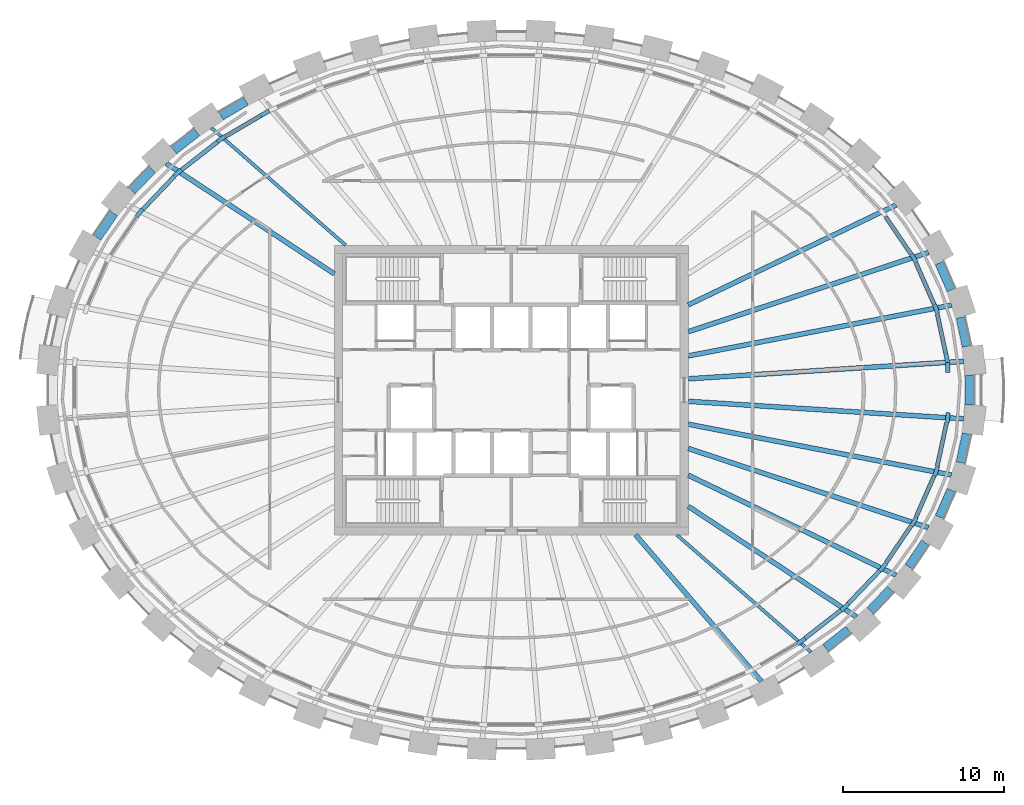
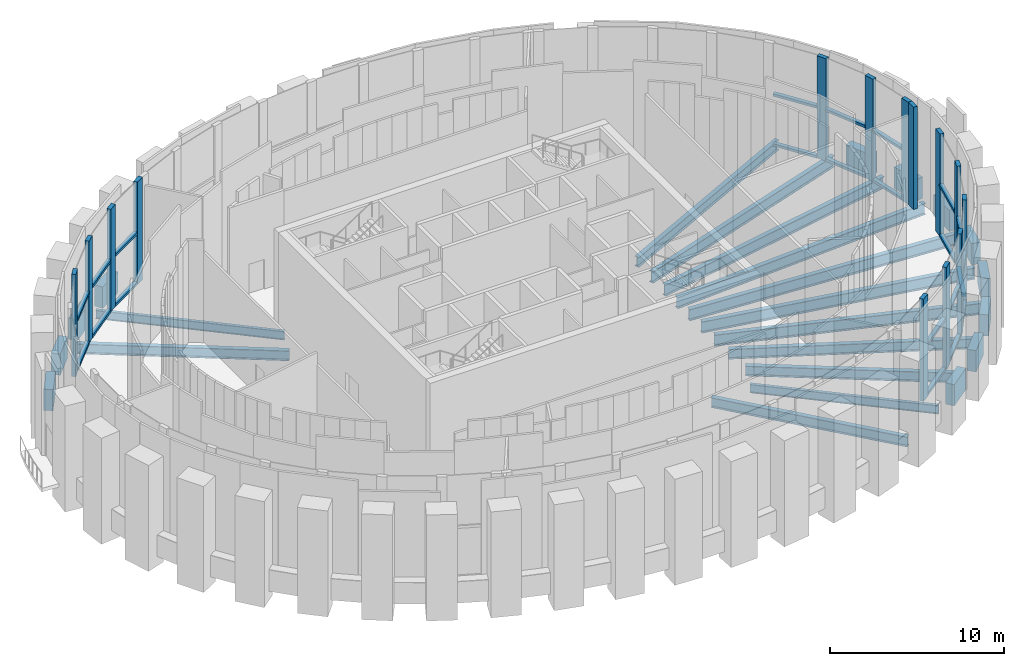
# One storey, part 3 of 16: 36 members, 25 beams, 3 elements without a shape of their own.
"""IFC4 building model written with IfcOpenShell, lengths in metres."""

from ifc_helpers import new_model, si_unit, direction, frame, origin, origin_2d, place, context, subcontext, project, spatial, rectangle, i_section, extrude, source, transform, mapped, material, material_profile, profile_set, type_object, element, aggregate, save


model = new_model("IFC4")

# Units and contexts
model_context = context("Model", 3, precision=1e-05, world=origin(), true_north=direction((0.0, 1.0)))
body_context = subcontext(model_context, "Body", "Model", "MODEL_VIEW")
ifc_project = project(units=[si_unit("LENGTHUNIT", "METRE"), si_unit("AREAUNIT", "SQUARE_METRE"), si_unit("VOLUMEUNIT", "CUBIC_METRE"), si_unit("PLANEANGLEUNIT", "RADIAN"), si_unit("MASSUNIT", "GRAM", prefix="KILO")], contexts=[model_context])

# Site, building, storey
site_placement = place(None, origin())
site = spatial("IfcSite", under=ifc_project, at=site_placement, CompositionType="ELEMENT")
building_placement = place(site_placement, origin())
building = spatial("IfcBuilding", under=site, at=building_placement, Name="Embergate Tower", CompositionType="ELEMENT")
storey_placement = place(building_placement, frame((0.0, 0.0, 332.5)))
storey = spatial("IfcBuildingStorey", under=building, at=storey_placement, Name="L78", CompositionType="ELEMENT", Elevation=332.5)

# Beams
ifc_material_1 = material(Name="Concrete C50", Category="concrete")
ifc_material_profile_1 = material_profile(ifc_material_1, rectangle(XDim=0.550048828125, YDim=1.5, at=origin_2d()), Name="RC 550x1500")
ifc_profile_set_1 = profile_set([ifc_material_profile_1], Name="Concrete C50")
beam_type_1 = type_object("IfcBeamType", Name="Spandrel beam RC 550x1500 C50", PredefinedType="BEAM", material=ifc_profile_set_1)
shared_shape_1 = source(origin(), body_context, "Body", "SweptSolid", [
    extrude(rectangle(XDim=0.550048828125, YDim=1.5, at=origin_2d()), origin(), (0.0, 0.0, 1.0), 1.841064453125),
])
for number, where, z_axis, x_axis, name in (
    (1, (28.299072265625, 2.7109375, 0.0), (-0.21017199477, 0.977664427406, 0.0), (-0.977664427406, -0.21017199477, 0.0), "SPN-L78-00"),
    (2, (27.912109375, -4.510986328125, 0.0), (0.21017199477, 0.977664427406, 0.0), (-0.977664427406, 0.21017199477, 0.0), "SPN-L78-42"),
):
    element("IfcBeam", number, at=place(storey_placement, frame(where, z_axis=z_axis, x_axis=x_axis)), inside=storey, type_object=beam_type_1, Name=name, PredefinedType="BEAM", context=body_context, shape_type="MappedRepresentation", body=[
        mapped(shared_shape_1, transform((0.0, 0.0, 0.0))),
    ])
shared_shape_2 = source(origin(), body_context, "Body", "SweptSolid", [
    extrude(rectangle(XDim=0.550048828125, YDim=1.5, at=origin_2d()), origin(), (0.0, 0.0, 1.0), 1.83349609375),
])
for number, where, z_axis, x_axis, name in (
    (3, (27.339111328125, 6.217041015625, 0.0), (-0.401971002991, 0.91565239734, 0.0), (-0.91565239734, -0.401971002991, 0.0), "SPN-L78-01"),
    (4, (26.60205078125, -7.89599609375, 0.0), (0.401971002991, 0.91565239734, 0.0), (-0.91565239734, 0.401971002991, 0.0), "SPN-L78-41"),
):
    element("IfcBeam", number, at=place(storey_placement, frame(where, z_axis=z_axis, x_axis=x_axis)), inside=storey, type_object=beam_type_1, Name=name, PredefinedType="BEAM", context=body_context, shape_type="MappedRepresentation", body=[
        mapped(shared_shape_2, transform((0.0, 0.0, 0.0))),
    ])
shared_shape_3 = source(origin(), body_context, "Body", "SweptSolid", [
    extrude(rectangle(XDim=0.550048828125, YDim=1.5, at=origin_2d()), origin(), (0.0, 0.0, 1.0), 1.8291015625),
])
for number, where, z_axis, x_axis, name in (
    (5, (-24.701904296875, 10.98388671875, 0.0), (-0.562039839894, -0.827110160965, 0.0), (0.827110160965, -0.562039839894, 0.0), "SPN-L78-18"),
    (6, (24.701904296875, -10.98388671875, 0.0), (0.562039839894, 0.827110160965, 0.0), (-0.827110160965, 0.562039839894, 0.0), "SPN-L78-40"),
):
    element("IfcBeam", number, at=place(storey_placement, frame(where, z_axis=z_axis, x_axis=x_axis)), inside=storey, type_object=beam_type_1, Name=name, PredefinedType="BEAM", context=body_context, shape_type="MappedRepresentation", body=[
        mapped(shared_shape_3, transform((0.0, 0.0, 0.0))),
    ])
shared_shape_4 = source(origin(), body_context, "Body", "SweptSolid", [
    extrude(rectangle(XDim=0.550048828125, YDim=1.5, at=origin_2d()), origin(), (0.0, 0.0, 1.0), 1.82421875),
])
for number, where, z_axis, x_axis, name in (
    (7, (-22.31201171875, 13.7041015625, 0.0), (-0.690179663499, -0.723638053237, 0.0), (0.723638053237, -0.690179663499, 0.0), "SPN-L78-17"),
    (8, (22.31201171875, -13.7041015625, 0.0), (0.690179663499, 0.723638053237, 0.0), (-0.723638053237, 0.690179663499, 0.0), "SPN-L78-39"),
):
    element("IfcBeam", number, at=place(storey_placement, frame(where, z_axis=z_axis, x_axis=x_axis)), inside=storey, type_object=beam_type_1, Name=name, PredefinedType="BEAM", context=body_context, shape_type="MappedRepresentation", body=[
        mapped(shared_shape_4, transform((0.0, 0.0, 0.0))),
    ])
shared_shape_5 = source(origin(), body_context, "Body", "SweptSolid", [
    extrude(rectangle(XDim=0.550048828125, YDim=1.5, at=origin_2d()), origin(), (0.0, 0.0, 1.0), 1.819091796875),
])
for number, where, z_axis, x_axis, name in (
    (9, (-19.531005859375, 16.01708984375, 0.0), (-0.788353886908, -0.615222032275, 0.0), (0.615222032275, -0.788353886908, 0.0), "SPN-L78-16"),
    (10, (19.531005859375, -16.01708984375, 0.0), (0.788353886908, 0.615222032275, 0.0), (-0.615222032275, 0.788353886908, 0.0), "SPN-L78-38"),
):
    element("IfcBeam", number, at=place(storey_placement, frame(where, z_axis=z_axis, x_axis=x_axis)), inside=storey, type_object=beam_type_1, Name=name, PredefinedType="BEAM", context=body_context, shape_type="MappedRepresentation", body=[
        mapped(shared_shape_5, transform((0.0, 0.0, 0.0))),
    ])
shared_shape_6 = source(origin(), body_context, "Body", "SweptSolid", [
    extrude(rectangle(XDim=0.550048828125, YDim=1.5, at=origin_2d()), origin(), (0.0, 0.0, 1.0), 1.814453125),
])
beam_1_placement = place(storey_placement, frame((-16.47802734375, 17.948974609375, 0.0), z_axis=(-0.861948050646, -0.5069966055, 0.0), x_axis=(0.5069966055, -0.861948050646, 0.0)))
element("IfcBeam", 11, at=beam_1_placement, inside=storey, type_object=beam_type_1, Name="SPN-L78-15", PredefinedType="BEAM", context=body_context, shape_type="MappedRepresentation", body=[
    mapped(shared_shape_6, transform((0.0, 0.0, 0.0))),
])
shared_shape_7 = source(origin(), body_context, "Body", "SweptSolid", [
    extrude(rectangle(XDim=0.550048828125, YDim=1.5, at=origin_2d()), origin(), (0.0, 0.0, 1.0), 1.841796875),
])
beam_2_placement = place(storey_placement, frame((28.489990234375, -0.9208984375, 0.0), z_axis=(0.0, 1.0, 0.0), x_axis=(-1.0, 0.0, 0.0)))
element("IfcBeam", 12, at=beam_2_placement, inside=storey, type_object=beam_type_1, Name="SPN-L78-43", PredefinedType="BEAM", context=body_context, shape_type="MappedRepresentation", body=[
    mapped(shared_shape_7, transform((0.0, 0.0, 0.0))),
])
ifc_material_2 = material(Name="Steel Q355B", Category="steel")
ifc_material_profile_2 = material_profile(ifc_material_2, i_section(OverallWidth=0.300048828125, OverallDepth=0.800048828125, WebThickness=0.013916015625, FlangeThickness=0.02587890625, FilletRadius=0.028076171875, at=origin_2d()), Name="HN 800x300x14x26")
ifc_profile_set_2 = profile_set([ifc_material_profile_2], Name="Steel Q355 grade B")
beam_type_2 = type_object("IfcBeamType", Name="Radial girder HN 800x300x14x26", PredefinedType="BEAM", material=ifc_profile_set_2)
shared_shape_8 = source(origin(), body_context, "Body", "SweptSolid", [
    extrude(i_section(OverallWidth=0.300048828125, OverallDepth=0.800048828125, WebThickness=0.013916015625, FlangeThickness=0.02587890625, FilletRadius=0.028076171875, at=origin_2d()), origin(), (0.0, 0.0, 1.0), 17.1494140625),
])
for number, where, z_axis, x_axis, name in (
    (13, (28.114990234375, 1.785888671875, -0.64990234375), (-0.997989537988, -0.063378877125, 0.0), (0.063378877125, -0.997989537988, 0.0), "GIR-L78-00"),
    (14, (28.114990234375, -1.785888671875, -0.64990234375), (-0.997989537988, 0.063378877125, 0.0), (-0.063378877125, -0.997989537988, 0.0), "GIR-L78-43"),
):
    element("IfcBeam", number, at=place(storey_placement, frame(where, z_axis=z_axis, x_axis=x_axis)), inside=storey, type_object=beam_type_2, Name=name, PredefinedType="BEAM", context=body_context, shape_type="MappedRepresentation", body=[
        mapped(shared_shape_8, transform((0.0, 0.0, 0.0))),
    ])
shared_shape_9 = source(origin(), body_context, "Body", "SweptSolid", [
    extrude(i_section(OverallWidth=0.300048828125, OverallDepth=0.800048828125, WebThickness=0.013916015625, FlangeThickness=0.02587890625, FilletRadius=0.028076171875, at=origin_2d()), origin(), (0.0, 0.0, 1.0), 16.664794921875),
])
for number, where, z_axis, x_axis, name in (
    (15, (27.363037109375, 5.279052734375, -0.64990234375), (-0.981892264932, -0.18944017543, 0.0), (0.18944017543, -0.981892264932, 0.0), "GIR-L78-01"),
    (16, (27.363037109375, -5.279052734375, -0.64990234375), (-0.981892264932, 0.18944017543, 0.0), (-0.18944017543, -0.981892264932, 0.0), "GIR-L78-42"),
):
    element("IfcBeam", number, at=place(storey_placement, frame(where, z_axis=z_axis, x_axis=x_axis)), inside=storey, type_object=beam_type_2, Name=name, PredefinedType="BEAM", context=body_context, shape_type="MappedRepresentation", body=[
        mapped(shared_shape_9, transform((0.0, 0.0, 0.0))),
    ])
shared_shape_10 = source(origin(), body_context, "Body", "SweptSolid", [
    extrude(i_section(OverallWidth=0.300048828125, OverallDepth=0.800048828125, WebThickness=0.013916015625, FlangeThickness=0.02587890625, FilletRadius=0.028076171875, at=origin_2d()), origin(), (0.0, 0.0, 1.0), 15.718017578125),
])
for number, where, z_axis, x_axis, name in (
    (17, (25.927001953125, 8.551025390625, -0.64990234375), (-0.949681931601, -0.31321594594, 0.0), (0.31321594594, -0.949681931601, 0.0), "GIR-L78-02"),
    (18, (25.927001953125, -8.551025390625, -0.64990234375), (-0.949681931601, 0.31321594594, 0.0), (-0.31321594594, -0.949681931601, 0.0), "GIR-L78-41"),
):
    element("IfcBeam", number, at=place(storey_placement, frame(where, z_axis=z_axis, x_axis=x_axis)), inside=storey, type_object=beam_type_2, Name=name, PredefinedType="BEAM", context=body_context, shape_type="MappedRepresentation", body=[
        mapped(shared_shape_10, transform((0.0, 0.0, 0.0))),
    ])
ifc_material_profile_3 = material_profile(ifc_material_2, i_section(OverallWidth=0.300048828125, OverallDepth=0.699951171875, WebThickness=0.012939453125, FlangeThickness=0.02392578125, FilletRadius=0.01806640625, at=origin_2d()), Name="HN 700x300x13x24")
ifc_profile_set_3 = profile_set([ifc_material_profile_3], Name="Steel Q355 grade B")
beam_type_3 = type_object("IfcBeamType", Name="Radial girder HN 700x300x13x24", PredefinedType="BEAM", material=ifc_profile_set_3)
shared_shape_11 = source(origin(), body_context, "Body", "SweptSolid", [
    extrude(i_section(OverallWidth=0.300048828125, OverallDepth=0.699951171875, WebThickness=0.012939453125, FlangeThickness=0.02392578125, FilletRadius=0.01806640625, at=origin_2d()), origin(), (0.0, 0.0, 1.0), 14.3349609375),
])
for number, where, z_axis, x_axis, name in (
    (19, (23.91796875, 11.506103515625, -0.60009765625), (-0.901155709388, -0.433495544887, 0.0), (0.433495544887, -0.901155709388, 0.0), "GIR-L78-03"),
    (20, (23.91796875, -11.506103515625, -0.60009765625), (-0.901155709388, 0.433495544887, 0.0), (-0.433495544887, -0.901155709388, 0.0), "GIR-L78-40"),
):
    element("IfcBeam", number, at=place(storey_placement, frame(where, z_axis=z_axis, x_axis=x_axis)), inside=storey, type_object=beam_type_3, Name=name, PredefinedType="BEAM", context=body_context, shape_type="MappedRepresentation", body=[
        mapped(shared_shape_11, transform((0.0, 0.0, 0.0))),
    ])
shared_shape_12 = source(origin(), body_context, "Body", "SweptSolid", [
    extrude(i_section(OverallWidth=0.300048828125, OverallDepth=0.699951171875, WebThickness=0.012939453125, FlangeThickness=0.02392578125, FilletRadius=0.01806640625, at=origin_2d()), origin(), (0.0, 0.0, 1.0), 12.504638671875),
])
for number, where, z_axis, x_axis, name in (
    (21, (-21.450927734375, 14.093017578125, -0.60009765625), (0.835771014397, -0.549078146983, 0.0), (0.549078146983, 0.835771014397, 0.0), "GIR-L78-17"),
    (22, (21.450927734375, -14.093017578125, -0.60009765625), (-0.835771014397, 0.549078146983, 0.0), (-0.549078146983, -0.835771014397, 0.0), "GIR-L78-39"),
):
    element("IfcBeam", number, at=place(storey_placement, frame(where, z_axis=z_axis, x_axis=x_axis)), inside=storey, type_object=beam_type_3, Name=name, PredefinedType="BEAM", context=body_context, shape_type="MappedRepresentation", body=[
        mapped(shared_shape_12, transform((0.0, 0.0, 0.0))),
    ])
ifc_material_profile_4 = material_profile(ifc_material_2, i_section(OverallWidth=0.199951171875, OverallDepth=0.60009765625, WebThickness=0.010986328125, FlangeThickness=0.01708984375, FilletRadius=0.012939453125, at=origin_2d()), Name="HN 600x200x11x17")
ifc_profile_set_4 = profile_set([ifc_material_profile_4], Name="Steel Q355 grade B")
beam_type_4 = type_object("IfcBeamType", Name="Radial girder HN 600x200x11x17", PredefinedType="BEAM", material=ifc_profile_set_4)
shared_shape_13 = source(origin(), body_context, "Body", "SweptSolid", [
    extrude(i_section(OverallWidth=0.199951171875, OverallDepth=0.60009765625, WebThickness=0.010986328125, FlangeThickness=0.01708984375, FilletRadius=0.012939453125, at=origin_2d()), origin(), (0.0, 0.0, 1.0), 11.080322265625),
])
for number, where, z_axis, x_axis, name in (
    (23, (-18.632080078125, 16.2939453125, -0.550048828125), (0.752777301853, -0.658275272067, 0.0), (0.658275272067, 0.752777301853, 0.0), "GIR-L78-16"),
    (24, (18.632080078125, -16.2939453125, -0.550048828125), (-0.752777301853, 0.658275272067, 0.0), (-0.658275272067, -0.752777301853, 0.0), "GIR-L78-38"),
):
    element("IfcBeam", number, at=place(storey_placement, frame(where, z_axis=z_axis, x_axis=x_axis)), inside=storey, type_object=beam_type_4, Name=name, PredefinedType="BEAM", context=body_context, shape_type="MappedRepresentation", body=[
        mapped(shared_shape_13, transform((0.0, 0.0, 0.0))),
    ])
shared_shape_14 = source(origin(), body_context, "Body", "SweptSolid", [
    extrude(i_section(OverallWidth=0.300048828125, OverallDepth=0.699951171875, WebThickness=0.012939453125, FlangeThickness=0.02392578125, FilletRadius=0.01806640625, at=origin_2d()), origin(), (0.0, 0.0, 1.0), 12.003662109375),
])
beam_3_placement = place(storey_placement, frame((15.549072265625, -18.10693359375, -0.60009765625), z_axis=(-0.651469469768, 0.758674851277, 0.0), x_axis=(-0.758674851277, -0.651469469768, 0.0)))
element("IfcBeam", 25, at=beam_3_placement, inside=storey, type_object=beam_type_3, Name="GIR-L78-37", PredefinedType="BEAM", context=body_context, shape_type="MappedRepresentation", body=[
    mapped(shared_shape_14, transform((0.0, 0.0, 0.0))),
])

# Curtain wall, members
ifc_material_3 = material(Name="Aluminium and glass", Category="aluminium")
curtain_wall_type = type_object("IfcCurtainWallType", Name="Observation glazing", PredefinedType="NOTDEFINED", material=ifc_material_3)
curtain_wall_1_placement = place(storey_placement, origin())
curtain_wall_1 = element("IfcCurtainWall", 26, at=curtain_wall_1_placement, inside=storey, type_object=curtain_wall_type, Name="Observation glazing run 1", ObjectType="OBSERVATION GLAZING", PredefinedType="USERDEFINED")
ifc_material_4 = material(Name="Aluminium, thermally broken", Category="aluminium")
ifc_material_profile_5 = material_profile(ifc_material_4, rectangle(XDim=0.260009765625, YDim=0.60009765625, at=origin_2d()), Name="AL 600x260")
ifc_profile_set_5 = profile_set([ifc_material_profile_5], Name="Aluminium, thermally broken")
member_type_1 = type_object("IfcMemberType", Name="Observation mullion", PredefinedType="MULLION", material=ifc_profile_set_5)
shared_shape_15 = source(origin(), body_context, "Body", "SweptSolid", [
    extrude(rectangle(XDim=0.260009765625, YDim=0.60009765625, at=origin_2d()), origin(), (0.0, 0.0, 1.0), 7.199951171875),
])
member_1_placement = place(storey_placement, frame((27.0615234375, 1.99755859375, 0.0), z_axis=(0.0, 0.0, 1.0), x_axis=(-0.97761389463, -0.210406922475, 0.0)))
member_1 = element("IfcMember", 27, at=member_1_placement, type_object=member_type_1, Name="CW mullion 1", PredefinedType="MULLION", context=body_context, shape_type="MappedRepresentation", body=[
    mapped(shared_shape_15, transform((0.0, 0.0, 0.0))),
])
member_2_placement = place(storey_placement, frame((26.406982421875, 5.039306640625, 0.0), z_axis=(0.0, 0.0, 1.0), x_axis=(-0.951484910112, -0.307695410803, 0.0)))
member_2 = element("IfcMember", 28, at=member_2_placement, type_object=member_type_1, Name="CW mullion 2", PredefinedType="MULLION", context=body_context, shape_type="MappedRepresentation", body=[
    mapped(shared_shape_15, transform((0.0, 0.0, 0.0))),
])
member_3_placement = place(storey_placement, frame((25.03369140625, 8.170166015625, 0.0), z_axis=(0.0, 0.0, 1.0), x_axis=(-0.874977391222, -0.484163778954, 0.0)))
member_3 = element("IfcMember", 29, at=member_3_placement, type_object=member_type_1, Name="CW mullion 3", PredefinedType="MULLION", context=body_context, shape_type="MappedRepresentation", body=[
    mapped(shared_shape_15, transform((0.0, 0.0, 0.0))),
])

curtain_wall_2_placement = place(storey_placement, origin())
curtain_wall_2 = element("IfcCurtainWall", 30, at=curtain_wall_2_placement, inside=storey, type_object=curtain_wall_type, Name="Observation glazing run 3", ObjectType="OBSERVATION GLAZING", PredefinedType="USERDEFINED")
member_4_placement = place(storey_placement, frame((-15.301513671875, 17.208740234375, 0.0), z_axis=(0.0, 0.0, 1.0), x_axis=(0.506811834471, -0.862056706047, 0.0)))
member_4 = element("IfcMember", 31, at=member_4_placement, type_object=member_type_1, Name="CW mullion 1", PredefinedType="MULLION", context=body_context, shape_type="MappedRepresentation", body=[
    mapped(shared_shape_15, transform((0.0, 0.0, 0.0))),
])
member_5_placement = place(storey_placement, frame((-18.01806640625, 15.61181640625, 0.0), z_axis=(0.0, 0.0, 1.0), x_axis=(0.562194524426, -0.827005028223, 0.0)))
member_5 = element("IfcMember", 32, at=member_5_placement, type_object=member_type_1, Name="CW mullion 2", PredefinedType="MULLION", context=body_context, shape_type="MappedRepresentation", body=[
    mapped(shared_shape_15, transform((0.0, 0.0, 0.0))),
])
member_6_placement = place(storey_placement, frame((-20.73388671875, 13.4921875, 0.0), z_axis=(0.0, 0.0, 1.0), x_axis=(0.671200658962, -0.741275708093, 0.0)))
member_6 = element("IfcMember", 33, at=member_6_placement, type_object=member_type_1, Name="CW mullion 3", PredefinedType="MULLION", context=body_context, shape_type="MappedRepresentation", body=[
    mapped(shared_shape_15, transform((0.0, 0.0, 0.0))),
])
member_7_placement = place(storey_placement, frame((-23.10595703125, 11.0048828125, 0.0), z_axis=(0.0, 0.0, 1.0), x_axis=(0.777844046666, -0.628457348645, 0.0)))
member_7 = element("IfcMember", 34, at=member_7_placement, type_object=member_type_1, Name="CW mullion 4", PredefinedType="MULLION", context=body_context, shape_type="MappedRepresentation", body=[
    mapped(shared_shape_15, transform((0.0, 0.0, 0.0))),
])

curtain_wall_3_placement = place(storey_placement, origin())
curtain_wall_3 = element("IfcCurtainWall", 35, at=curtain_wall_3_placement, inside=storey, type_object=curtain_wall_type, Name="Observation glazing run 6", ObjectType="OBSERVATION GLAZING", PredefinedType="USERDEFINED")
member_8_placement = place(storey_placement, frame((18.01806640625, -15.61181640625, 0.0), z_axis=(0.0, 0.0, 1.0), x_axis=(-0.562194524426, 0.827005028223, 0.0)))
member_8 = element("IfcMember", 36, at=member_8_placement, type_object=member_type_1, Name="CW mullion 2", PredefinedType="MULLION", context=body_context, shape_type="MappedRepresentation", body=[
    mapped(shared_shape_15, transform((0.0, 0.0, 0.0))),
])
member_9_placement = place(storey_placement, frame((20.73388671875, -13.4921875, 0.0), z_axis=(0.0, 0.0, 1.0), x_axis=(-0.671200658962, 0.741275708093, 0.0)))
member_9 = element("IfcMember", 37, at=member_9_placement, type_object=member_type_1, Name="CW mullion 3", PredefinedType="MULLION", context=body_context, shape_type="MappedRepresentation", body=[
    mapped(shared_shape_15, transform((0.0, 0.0, 0.0))),
])
member_10_placement = place(storey_placement, frame((23.10595703125, -11.0048828125, 0.0), z_axis=(0.0, 0.0, 1.0), x_axis=(-0.777844046666, 0.628457348645, 0.0)))
member_10 = element("IfcMember", 38, at=member_10_placement, type_object=member_type_1, Name="CW mullion 4", PredefinedType="MULLION", context=body_context, shape_type="MappedRepresentation", body=[
    mapped(shared_shape_15, transform((0.0, 0.0, 0.0))),
])
member_11_placement = place(storey_placement, frame((25.03369140625, -8.170166015625, 0.0), z_axis=(0.0, 0.0, 1.0), x_axis=(-0.874977391222, 0.484163778954, 0.0)))
member_11 = element("IfcMember", 39, at=member_11_placement, type_object=member_type_1, Name="CW mullion 5", PredefinedType="MULLION", context=body_context, shape_type="MappedRepresentation", body=[
    mapped(shared_shape_15, transform((0.0, 0.0, 0.0))),
])
member_12_placement = place(storey_placement, frame((26.406982421875, -5.039306640625, 0.0), z_axis=(0.0, 0.0, 1.0), x_axis=(-0.951484910112, 0.307695410803, 0.0)))
member_12 = element("IfcMember", 40, at=member_12_placement, type_object=member_type_1, Name="CW mullion 6", PredefinedType="MULLION", context=body_context, shape_type="MappedRepresentation", body=[
    mapped(shared_shape_15, transform((0.0, 0.0, 0.0))),
])
member_13_placement = place(storey_placement, frame((27.124755859375, -1.704345703125, 0.0), z_axis=(0.0, 0.0, 1.0), x_axis=(-0.99438310762, 0.105840612621, 0.0)))
member_13 = element("IfcMember", 41, at=member_13_placement, type_object=member_type_1, Name="CW mullion 7", PredefinedType="MULLION", context=body_context, shape_type="MappedRepresentation", body=[
    mapped(shared_shape_15, transform((0.0, 0.0, 0.0))),
])
member_14_placement = place(storey_placement, frame((27.124755859375, 1.404296875, 0.0), z_axis=(0.0, 0.0, 1.0), x_axis=(-1.0, 0.0, 0.0)))
member_14 = element("IfcMember", 42, at=member_14_placement, type_object=member_type_1, Name="CW mullion 8", PredefinedType="MULLION", context=body_context, shape_type="MappedRepresentation", body=[
    mapped(shared_shape_15, transform((0.0, 0.0, 0.0))),
])

# Member
ifc_material_profile_6 = material_profile(ifc_material_4, rectangle(XDim=0.260009765625, YDim=0.179931640625, at=origin_2d()), Name="AL 180x260")
ifc_profile_set_6 = profile_set([ifc_material_profile_6], Name="Aluminium, thermally broken")
member_type_2 = type_object("IfcMemberType", Name="Observation transom", PredefinedType="USERDEFINED", material=ifc_profile_set_6)
shared_shape_16 = source(origin(), body_context, "Body", "SweptSolid", [
    extrude(rectangle(XDim=0.260009765625, YDim=0.179931640625, at=origin_2d()), origin(), (0.0, 0.0, 1.0), 2.51123046875),
])
member_15_placement = place(storey_placement, frame((26.998291015625, 2.291015625, 0.090087890625), z_axis=(-0.210378833475, 0.977619939662, 0.0), x_axis=(-0.977619939662, -0.210378833475, 0.0)))
member_15 = element("IfcMember", 43, at=member_15_placement, type_object=member_type_2, Name="CW transom 1.1", ObjectType="TRANSOM", PredefinedType="USERDEFINED", context=body_context, shape_type="MappedRepresentation", body=[
    mapped(shared_shape_16, transform((0.0, 0.0, 0.0))),
])

member_16_placement = place(storey_placement, frame((26.998291015625, 2.291015625, 3.60009765625), z_axis=(-0.210378833475, 0.977619939662, 0.0), x_axis=(-0.977619939662, -0.210378833475, 0.0)))
member_16 = element("IfcMember", 44, at=member_16_placement, type_object=member_type_2, Name="CW transom 1.2", ObjectType="TRANSOM", PredefinedType="USERDEFINED", context=body_context, shape_type="MappedRepresentation", body=[
    mapped(shared_shape_16, transform((0.0, 0.0, 0.0))),
])

shared_shape_17 = source(origin(), body_context, "Body", "SweptSolid", [
    extrude(rectangle(XDim=0.260009765625, YDim=0.179931640625, at=origin_2d()), origin(), (0.0, 0.0, 1.0), 2.818603515625),
])
member_17_placement = place(storey_placement, frame((26.286376953125, 5.314208984375, 0.090087890625), z_axis=(-0.401641104091, 0.915797151942, 0.0), x_axis=(-0.915797151942, -0.401641104091, 0.0)))
member_17 = element("IfcMember", 45, at=member_17_placement, type_object=member_type_2, Name="CW transom 2.1", ObjectType="TRANSOM", PredefinedType="USERDEFINED", context=body_context, shape_type="MappedRepresentation", body=[
    mapped(shared_shape_17, transform((0.0, 0.0, 0.0))),
])

member_18_placement = place(storey_placement, frame((26.286376953125, 5.314208984375, 3.60009765625), z_axis=(-0.401641104091, 0.915797151942, 0.0), x_axis=(-0.915797151942, -0.401641104091, 0.0)))
member_18 = element("IfcMember", 46, at=member_18_placement, type_object=member_type_2, Name="CW transom 2.2", ObjectType="TRANSOM", PredefinedType="USERDEFINED", context=body_context, shape_type="MappedRepresentation", body=[
    mapped(shared_shape_17, transform((0.0, 0.0, 0.0))),
])

member_19_placement = place(storey_placement, frame((25.154296875, -7.8955078125, 0.090087890625), z_axis=(0.401641104091, 0.915797151942, 0.0), x_axis=(-0.915797151942, 0.401641104091, 0.0)))
member_19 = element("IfcMember", 47, at=member_19_placement, type_object=member_type_2, Name="CW transom 5.1", ObjectType="TRANSOM", PredefinedType="USERDEFINED", context=body_context, shape_type="MappedRepresentation", body=[
    mapped(shared_shape_17, transform((0.0, 0.0, 0.0))),
])

member_20_placement = place(storey_placement, frame((25.154296875, -7.8955078125, 3.60009765625), z_axis=(0.401641104091, 0.915797151942, 0.0), x_axis=(-0.915797151942, 0.401641104091, 0.0)))
member_20 = element("IfcMember", 48, at=member_20_placement, type_object=member_type_2, Name="CW transom 5.2", ObjectType="TRANSOM", PredefinedType="USERDEFINED", context=body_context, shape_type="MappedRepresentation", body=[
    mapped(shared_shape_17, transform((0.0, 0.0, 0.0))),
])

shared_shape_18 = source(origin(), body_context, "Body", "SweptSolid", [
    extrude(rectangle(XDim=0.260009765625, YDim=0.179931640625, at=origin_2d()), origin(), (0.0, 0.0, 1.0), 2.827880859375),
])
member_21_placement = place(storey_placement, frame((24.864990234375, 8.418212890625, 0.090087890625), z_axis=(-0.562366693177, 0.826887962426, 0.0), x_axis=(-0.826887962426, -0.562366693177, 0.0)))
member_21 = element("IfcMember", 49, at=member_21_placement, type_object=member_type_2, Name="CW transom 3.1", ObjectType="TRANSOM", PredefinedType="USERDEFINED", context=body_context, shape_type="MappedRepresentation", body=[
    mapped(shared_shape_18, transform((0.0, 0.0, 0.0))),
])

member_22_placement = place(storey_placement, frame((24.864990234375, 8.418212890625, 3.60009765625), z_axis=(-0.562366693177, 0.826887962426, 0.0), x_axis=(-0.826887962426, -0.562366693177, 0.0)))
member_22 = element("IfcMember", 50, at=member_22_placement, type_object=member_type_2, Name="CW transom 3.2", ObjectType="TRANSOM", PredefinedType="USERDEFINED", context=body_context, shape_type="MappedRepresentation", body=[
    mapped(shared_shape_18, transform((0.0, 0.0, 0.0))),
])

aggregate(curtain_wall_1, [member_1, member_2, member_3, member_15, member_16, member_17, member_18, member_21, member_22])

member_23_placement = place(storey_placement, frame((23.274658203125, -10.756591796875, 0.090087890625), z_axis=(0.562366693177, 0.826887962426, 0.0), x_axis=(-0.826887962426, 0.562366693177, 0.0)))
member_23 = element("IfcMember", 51, at=member_23_placement, type_object=member_type_2, Name="CW transom 4.1", ObjectType="TRANSOM", PredefinedType="USERDEFINED", context=body_context, shape_type="MappedRepresentation", body=[
    mapped(shared_shape_18, transform((0.0, 0.0, 0.0))),
])

member_24_placement = place(storey_placement, frame((23.274658203125, -10.756591796875, 3.60009765625), z_axis=(0.562366693177, 0.826887962426, 0.0), x_axis=(-0.826887962426, 0.562366693177, 0.0)))
member_24 = element("IfcMember", 52, at=member_24_placement, type_object=member_type_2, Name="CW transom 4.2", ObjectType="TRANSOM", PredefinedType="USERDEFINED", context=body_context, shape_type="MappedRepresentation", body=[
    mapped(shared_shape_18, transform((0.0, 0.0, 0.0))),
])

shared_shape_19 = source(origin(), body_context, "Body", "SweptSolid", [
    extrude(rectangle(XDim=0.260009765625, YDim=0.179931640625, at=origin_2d()), origin(), (0.0, 0.0, 1.0), 2.8369140625),
])
member_25_placement = place(storey_placement, frame((-20.94091796875, 13.27490234375, 0.090087890625), z_axis=(-0.690170720754, -0.723646582396, 0.0), x_axis=(0.723646582396, -0.690170720754, 0.0)))
member_25 = element("IfcMember", 53, at=member_25_placement, type_object=member_type_2, Name="CW transom 3.1", ObjectType="TRANSOM", PredefinedType="USERDEFINED", context=body_context, shape_type="MappedRepresentation", body=[
    mapped(shared_shape_19, transform((0.0, 0.0, 0.0))),
])

member_26_placement = place(storey_placement, frame((-20.94091796875, 13.27490234375, 3.60009765625), z_axis=(-0.690170720754, -0.723646582396, 0.0), x_axis=(0.723646582396, -0.690170720754, 0.0)))
member_26 = element("IfcMember", 54, at=member_26_placement, type_object=member_type_2, Name="CW transom 3.2", ObjectType="TRANSOM", PredefinedType="USERDEFINED", context=body_context, shape_type="MappedRepresentation", body=[
    mapped(shared_shape_19, transform((0.0, 0.0, 0.0))),
])

member_27_placement = place(storey_placement, frame((20.94091796875, -13.27490234375, 0.090087890625), z_axis=(0.690170720754, 0.723646582396, 0.0), x_axis=(-0.723646582396, 0.690170720754, 0.0)))
member_27 = element("IfcMember", 55, at=member_27_placement, type_object=member_type_2, Name="CW transom 3.1", ObjectType="TRANSOM", PredefinedType="USERDEFINED", context=body_context, shape_type="MappedRepresentation", body=[
    mapped(shared_shape_19, transform((0.0, 0.0, 0.0))),
])

member_28_placement = place(storey_placement, frame((20.94091796875, -13.27490234375, 3.60009765625), z_axis=(0.690170720754, 0.723646582396, 0.0), x_axis=(-0.723646582396, 0.690170720754, 0.0)))
member_28 = element("IfcMember", 56, at=member_28_placement, type_object=member_type_2, Name="CW transom 3.2", ObjectType="TRANSOM", PredefinedType="USERDEFINED", context=body_context, shape_type="MappedRepresentation", body=[
    mapped(shared_shape_19, transform((0.0, 0.0, 0.0))),
])

shared_shape_20 = source(origin(), body_context, "Body", "SweptSolid", [
    extrude(rectangle(XDim=0.260009765625, YDim=0.179931640625, at=origin_2d()), origin(), (0.0, 0.0, 1.0), 2.8447265625),
])
member_29_placement = place(storey_placement, frame((-18.254638671875, 15.427001953125, 0.090087890625), z_axis=(-0.788339133471, -0.615240937063, 0.0), x_axis=(0.615240937063, -0.788339133471, 0.0)))
member_29 = element("IfcMember", 57, at=member_29_placement, type_object=member_type_2, Name="CW transom 2.1", ObjectType="TRANSOM", PredefinedType="USERDEFINED", context=body_context, shape_type="MappedRepresentation", body=[
    mapped(shared_shape_20, transform((0.0, 0.0, 0.0))),
])

member_30_placement = place(storey_placement, frame((-18.254638671875, 15.427001953125, 3.60009765625), z_axis=(-0.788339133471, -0.615240937063, 0.0), x_axis=(0.615240937063, -0.788339133471, 0.0)))
member_30 = element("IfcMember", 58, at=member_30_placement, type_object=member_type_2, Name="CW transom 2.2", ObjectType="TRANSOM", PredefinedType="USERDEFINED", context=body_context, shape_type="MappedRepresentation", body=[
    mapped(shared_shape_20, transform((0.0, 0.0, 0.0))),
])

member_31_placement = place(storey_placement, frame((18.254638671875, -15.427001953125, 0.090087890625), z_axis=(0.788339133471, 0.615240937063, 0.0), x_axis=(-0.615240937063, 0.788339133471, 0.0)))
member_31 = element("IfcMember", 59, at=member_31_placement, type_object=member_type_2, Name="CW transom 2.1", ObjectType="TRANSOM", PredefinedType="USERDEFINED", context=body_context, shape_type="MappedRepresentation", body=[
    mapped(shared_shape_20, transform((0.0, 0.0, 0.0))),
])

member_32_placement = place(storey_placement, frame((18.254638671875, -15.427001953125, 3.60009765625), z_axis=(0.788339133471, 0.615240937063, 0.0), x_axis=(-0.615240937063, 0.788339133471, 0.0)))
member_32 = element("IfcMember", 60, at=member_32_placement, type_object=member_type_2, Name="CW transom 2.2", ObjectType="TRANSOM", PredefinedType="USERDEFINED", context=body_context, shape_type="MappedRepresentation", body=[
    mapped(shared_shape_20, transform((0.0, 0.0, 0.0))),
])

shared_shape_21 = source(origin(), body_context, "Body", "SweptSolid", [
    extrude(rectangle(XDim=0.260009765625, YDim=0.179931640625, at=origin_2d()), origin(), (0.0, 0.0, 1.0), 2.551025390625),
])
member_33_placement = place(storey_placement, frame((-15.560302734375, 17.056640625, 0.090087890625), z_axis=(-0.862052277359, -0.506819367329, 0.0), x_axis=(0.506819367329, -0.862052277359, 0.0)))
member_33 = element("IfcMember", 61, at=member_33_placement, type_object=member_type_2, Name="CW transom 1.1", ObjectType="TRANSOM", PredefinedType="USERDEFINED", context=body_context, shape_type="MappedRepresentation", body=[
    mapped(shared_shape_21, transform((0.0, 0.0, 0.0))),
])

member_34_placement = place(storey_placement, frame((-15.560302734375, 17.056640625, 3.60009765625), z_axis=(-0.862052277359, -0.506819367329, 0.0), x_axis=(0.506819367329, -0.862052277359, 0.0)))
member_34 = element("IfcMember", 62, at=member_34_placement, type_object=member_type_2, Name="CW transom 1.2", ObjectType="TRANSOM", PredefinedType="USERDEFINED", context=body_context, shape_type="MappedRepresentation", body=[
    mapped(shared_shape_21, transform((0.0, 0.0, 0.0))),
])

aggregate(curtain_wall_2, [member_4, member_5, member_6, member_7, member_33, member_34, member_29, member_30, member_25, member_26])

shared_shape_22 = source(origin(), body_context, "Body", "SweptSolid", [
    extrude(rectangle(XDim=0.260009765625, YDim=0.179931640625, at=origin_2d()), origin(), (0.0, 0.0, 1.0), 2.8115234375),
])
member_35_placement = place(storey_placement, frame((26.469970703125, -4.74609375, 0.090087890625), z_axis=(0.210406696104, 0.977613943351, 0.0), x_axis=(-0.977613943351, 0.210406696104, 0.0)))
member_35 = element("IfcMember", 63, at=member_35_placement, type_object=member_type_2, Name="CW transom 6.1", ObjectType="TRANSOM", PredefinedType="USERDEFINED", context=body_context, shape_type="MappedRepresentation", body=[
    mapped(shared_shape_22, transform((0.0, 0.0, 0.0))),
])

member_36_placement = place(storey_placement, frame((26.469970703125, -4.74609375, 3.60009765625), z_axis=(0.210406696104, 0.977613943351, 0.0), x_axis=(-0.977613943351, 0.210406696104, 0.0)))
member_36 = element("IfcMember", 64, at=member_36_placement, type_object=member_type_2, Name="CW transom 6.2", ObjectType="TRANSOM", PredefinedType="USERDEFINED", context=body_context, shape_type="MappedRepresentation", body=[
    mapped(shared_shape_22, transform((0.0, 0.0, 0.0))),
])

aggregate(curtain_wall_3, [member_8, member_9, member_10, member_11, member_12, member_13, member_14, member_31, member_32, member_27, member_28, member_23, member_24, member_19, member_20, member_35, member_36])

save(model, "model.ifc")
